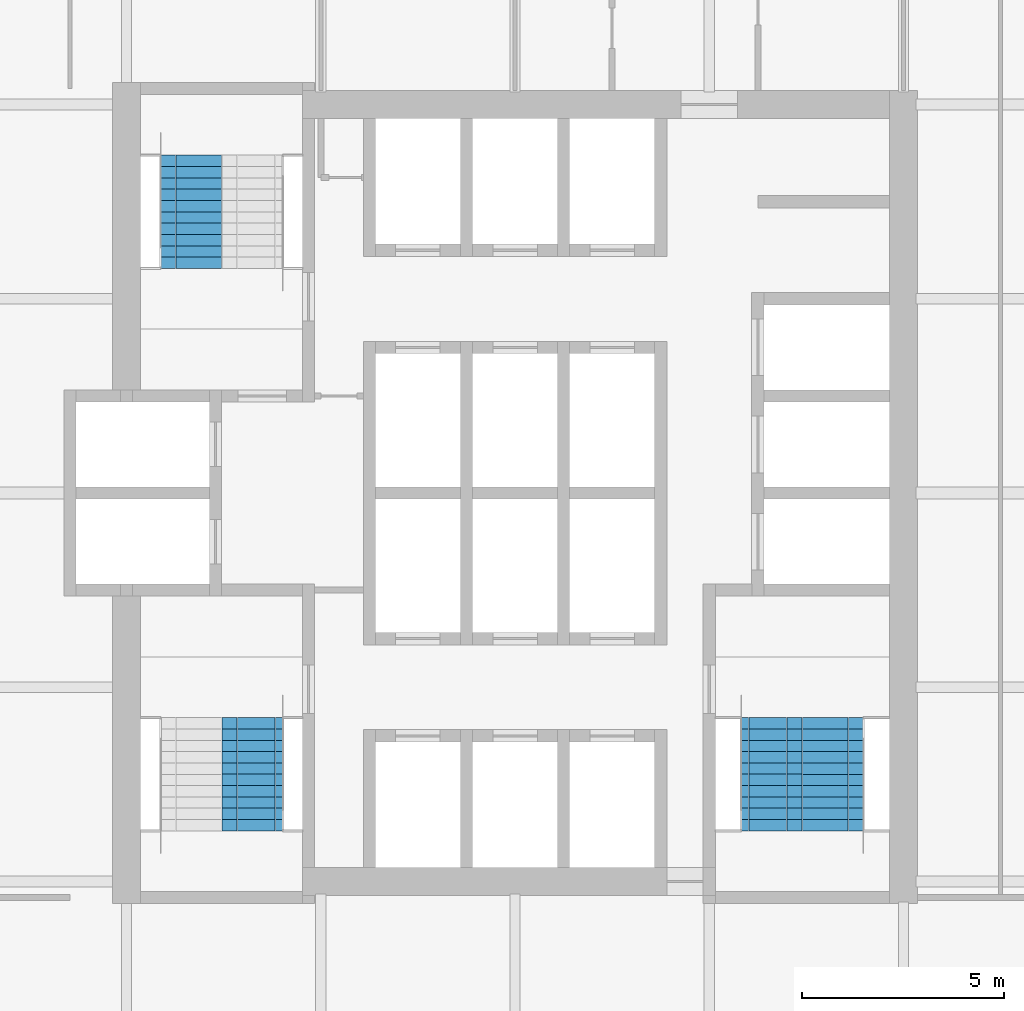
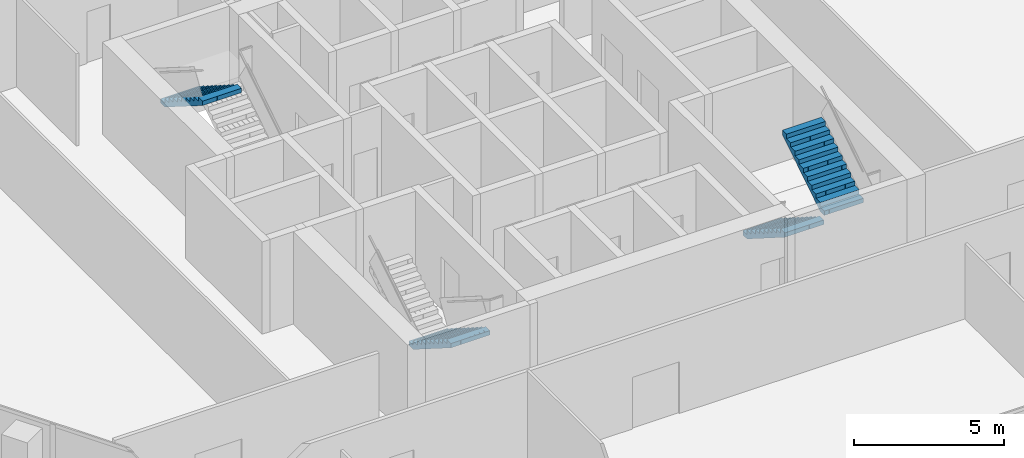
# One storey, part 13 of 16: 4 stair flights, 3 elements without a shape of their own.
"""IFC4 building model written with IfcOpenShell, lengths in metres."""

from ifc_helpers import new_model, si_unit, direction, frame, origin, place, context, subcontext, project, spatial, polyline, outline, extrude, material, type_object, element, aggregate, save


model = new_model("IFC4")

# Units and contexts
model_context = context("Model", 3, precision=1e-05, world=origin(), true_north=direction((0.0, 1.0)))
body_context = subcontext(model_context, "Body", "Model", "MODEL_VIEW")
ifc_project = project(units=[si_unit("LENGTHUNIT", "METRE"), si_unit("AREAUNIT", "SQUARE_METRE"), si_unit("VOLUMEUNIT", "CUBIC_METRE"), si_unit("PLANEANGLEUNIT", "RADIAN"), si_unit("MASSUNIT", "GRAM", prefix="KILO")], contexts=[model_context])

# Site, building, storey
site_placement = place(None, origin())
site = spatial("IfcSite", under=ifc_project, at=site_placement, CompositionType="ELEMENT")
building_placement = place(site_placement, origin())
building = spatial("IfcBuilding", under=site, at=building_placement, Name="Kolab Exchange Tower", CompositionType="ELEMENT")
storey_placement = place(building_placement, frame((0.0, 0.0, 162.199951171875)))
storey = spatial("IfcBuildingStorey", under=building, at=storey_placement, Name="L33", CompositionType="ELEMENT", Elevation=162.199951171875)

# Stair, stair flight
ifc_material = material(Name="Concrete C50/60", Category="concrete")
stair_type_1 = type_object("IfcStairType", Name="STAIR ST1 RISER 177.3", PredefinedType="HALF_TURN_STAIR", material=ifc_material)
stair_1_placement = place(storey_placement, origin())
stair_1 = element("IfcStair", 1, at=stair_1_placement, inside=storey, type_object=stair_type_1, Name="Stair 1", PredefinedType="HALF_TURN_STAIR")
stair_flight_type = type_object("IfcStairFlightType", Name="STAIR FLIGHT 1500 RISER 177.3", PredefinedType="STRAIGHT", material=ifc_material)
stair_flight_1_placement = place(storey_placement, frame((-8.010009765625, 8.35009765625, 1.949951171875), z_axis=(0.0, 0.0, 1.0), x_axis=(0.0, -1.0, 0.0)))
stair_flight_1 = element("IfcStairFlight", 2, at=stair_flight_1_placement, type_object=stair_flight_type, Name="ST1 flight 2", NumberOfRisers=11, NumberOfTreads=10, PredefinedType="STRAIGHT", RiserHeight=0.177272727, TreadLength=0.28, context=body_context, shape_type="SweptSolid", body=[
    extrude(outline(polyline([(0.0, 0.0), (0.0, 0.17724609375), (0.280029296875, 0.17724609375), (0.280029296875, 0.3544921875), (0.56005859375, 0.3544921875), (0.56005859375, 0.53173828125), (0.840087890625, 0.53173828125), (0.840087890625, 0.708984375), (1.1201171875, 0.708984375), (1.1201171875, 0.886474609375), (1.39990234375, 0.886474609375), (1.39990234375, 1.063720703125), (1.679931640625, 1.063720703125), (1.679931640625, 1.240966796875), (1.9599609375, 1.240966796875), (1.9599609375, 1.418212890625), (2.239990234375, 1.418212890625), (2.239990234375, 1.595458984375), (2.52001953125, 1.595458984375), (2.52001953125, 1.772705078125), (2.800048828125, 1.772705078125), (2.800048828125, 1.949951171875), (2.800048828125, 1.59521484375), (0.2802734375, 0.0), (0.0, 0.0)])), frame((0.0, 0.75, 0.0), z_axis=(0.0, -1.0, 0.0), x_axis=(1.0, 0.0, 0.0)), (0.0, 0.0, 1.0), 0.185791015625),
    extrude(outline(polyline([(0.0, 0.0), (0.0, 0.17724609375), (0.280029296875, 0.17724609375), (0.280029296875, 0.3544921875), (0.56005859375, 0.3544921875), (0.56005859375, 0.53173828125), (0.840087890625, 0.53173828125), (0.840087890625, 0.708984375), (1.1201171875, 0.708984375), (1.1201171875, 0.886474609375), (1.39990234375, 0.886474609375), (1.39990234375, 1.063720703125), (1.679931640625, 1.063720703125), (1.679931640625, 1.240966796875), (1.9599609375, 1.240966796875), (1.9599609375, 1.418212890625), (2.239990234375, 1.418212890625), (2.239990234375, 1.595458984375), (2.52001953125, 1.595458984375), (2.52001953125, 1.772705078125), (2.800048828125, 1.772705078125), (2.800048828125, 1.949951171875), (2.800048828125, 1.59521484375), (0.2802734375, 0.0), (0.0, 0.0)])), frame((0.0, 0.562255859375, 0.0), z_axis=(0.0, -1.0, 0.0), x_axis=(1.0, 0.0, 0.0)), (0.0, 0.0, 1.0), 0.185791015625),
    extrude(outline(polyline([(0.0, 0.0), (0.0, 0.17724609375), (0.280029296875, 0.17724609375), (0.280029296875, 0.3544921875), (0.56005859375, 0.3544921875), (0.56005859375, 0.53173828125), (0.840087890625, 0.53173828125), (0.840087890625, 0.708984375), (1.1201171875, 0.708984375), (1.1201171875, 0.886474609375), (1.39990234375, 0.886474609375), (1.39990234375, 1.063720703125), (1.679931640625, 1.063720703125), (1.679931640625, 1.240966796875), (1.9599609375, 1.240966796875), (1.9599609375, 1.418212890625), (2.239990234375, 1.418212890625), (2.239990234375, 1.595458984375), (2.52001953125, 1.595458984375), (2.52001953125, 1.772705078125), (2.800048828125, 1.772705078125), (2.800048828125, 1.949951171875), (2.800048828125, 1.59521484375), (0.2802734375, 0.0), (0.0, 0.0)])), frame((0.0, 0.37451171875, 0.0), z_axis=(0.0, -1.0, 0.0), x_axis=(1.0, 0.0, 0.0)), (0.0, 0.0, 1.0), 0.185791015625),
    extrude(outline(polyline([(0.0, 0.0), (0.0, 0.17724609375), (0.280029296875, 0.17724609375), (0.280029296875, 0.3544921875), (0.56005859375, 0.3544921875), (0.56005859375, 0.53173828125), (0.840087890625, 0.53173828125), (0.840087890625, 0.708984375), (1.1201171875, 0.708984375), (1.1201171875, 0.886474609375), (1.39990234375, 0.886474609375), (1.39990234375, 1.063720703125), (1.679931640625, 1.063720703125), (1.679931640625, 1.240966796875), (1.9599609375, 1.240966796875), (1.9599609375, 1.418212890625), (2.239990234375, 1.418212890625), (2.239990234375, 1.595458984375), (2.52001953125, 1.595458984375), (2.52001953125, 1.772705078125), (2.800048828125, 1.772705078125), (2.800048828125, 1.949951171875), (2.800048828125, 1.59521484375), (0.2802734375, 0.0), (0.0, 0.0)])), frame((0.0, 0.186767578125, 0.0), z_axis=(0.0, -1.0, 0.0), x_axis=(1.0, 0.0, 0.0)), (0.0, 0.0, 1.0), 0.185791015625),
    extrude(outline(polyline([(0.0, 0.0), (0.0, 0.17724609375), (0.280029296875, 0.17724609375), (0.280029296875, 0.3544921875), (0.56005859375, 0.3544921875), (0.56005859375, 0.53173828125), (0.840087890625, 0.53173828125), (0.840087890625, 0.708984375), (1.1201171875, 0.708984375), (1.1201171875, 0.886474609375), (1.39990234375, 0.886474609375), (1.39990234375, 1.063720703125), (1.679931640625, 1.063720703125), (1.679931640625, 1.240966796875), (1.9599609375, 1.240966796875), (1.9599609375, 1.418212890625), (2.239990234375, 1.418212890625), (2.239990234375, 1.595458984375), (2.52001953125, 1.595458984375), (2.52001953125, 1.772705078125), (2.800048828125, 1.772705078125), (2.800048828125, 1.949951171875), (2.800048828125, 1.59521484375), (0.2802734375, 0.0), (0.0, 0.0)])), frame((0.0, -0.0009765625, 0.0), z_axis=(0.0, -1.0, 0.0), x_axis=(1.0, 0.0, 0.0)), (0.0, 0.0, 1.0), 0.185791015625),
    extrude(outline(polyline([(0.0, 0.0), (0.0, 0.17724609375), (0.280029296875, 0.17724609375), (0.280029296875, 0.3544921875), (0.56005859375, 0.3544921875), (0.56005859375, 0.53173828125), (0.840087890625, 0.53173828125), (0.840087890625, 0.708984375), (1.1201171875, 0.708984375), (1.1201171875, 0.886474609375), (1.39990234375, 0.886474609375), (1.39990234375, 1.063720703125), (1.679931640625, 1.063720703125), (1.679931640625, 1.240966796875), (1.9599609375, 1.240966796875), (1.9599609375, 1.418212890625), (2.239990234375, 1.418212890625), (2.239990234375, 1.595458984375), (2.52001953125, 1.595458984375), (2.52001953125, 1.772705078125), (2.800048828125, 1.772705078125), (2.800048828125, 1.949951171875), (2.800048828125, 1.59521484375), (0.2802734375, 0.0), (0.0, 0.0)])), frame((0.0, -0.188720703125, 0.0), z_axis=(0.0, -1.0, 0.0), x_axis=(1.0, 0.0, 0.0)), (0.0, 0.0, 1.0), 0.185791015625),
    extrude(outline(polyline([(0.0, 0.0), (0.0, 0.17724609375), (0.280029296875, 0.17724609375), (0.280029296875, 0.3544921875), (0.56005859375, 0.3544921875), (0.56005859375, 0.53173828125), (0.840087890625, 0.53173828125), (0.840087890625, 0.708984375), (1.1201171875, 0.708984375), (1.1201171875, 0.886474609375), (1.39990234375, 0.886474609375), (1.39990234375, 1.063720703125), (1.679931640625, 1.063720703125), (1.679931640625, 1.240966796875), (1.9599609375, 1.240966796875), (1.9599609375, 1.418212890625), (2.239990234375, 1.418212890625), (2.239990234375, 1.595458984375), (2.52001953125, 1.595458984375), (2.52001953125, 1.772705078125), (2.800048828125, 1.772705078125), (2.800048828125, 1.949951171875), (2.800048828125, 1.59521484375), (0.2802734375, 0.0), (0.0, 0.0)])), frame((0.0, -0.37646484375, 0.0), z_axis=(0.0, -1.0, 0.0), x_axis=(1.0, 0.0, 0.0)), (0.0, 0.0, 1.0), 0.185791015625),
    extrude(outline(polyline([(0.0, 0.0), (0.0, 0.17724609375), (0.280029296875, 0.17724609375), (0.280029296875, 0.3544921875), (0.56005859375, 0.3544921875), (0.56005859375, 0.53173828125), (0.840087890625, 0.53173828125), (0.840087890625, 0.708984375), (1.1201171875, 0.708984375), (1.1201171875, 0.886474609375), (1.39990234375, 0.886474609375), (1.39990234375, 1.063720703125), (1.679931640625, 1.063720703125), (1.679931640625, 1.240966796875), (1.9599609375, 1.240966796875), (1.9599609375, 1.418212890625), (2.239990234375, 1.418212890625), (2.239990234375, 1.595458984375), (2.52001953125, 1.595458984375), (2.52001953125, 1.772705078125), (2.800048828125, 1.772705078125), (2.800048828125, 1.949951171875), (2.800048828125, 1.59521484375), (0.2802734375, 0.0), (0.0, 0.0)])), frame((0.0, -0.564208984375, 0.0), z_axis=(0.0, -1.0, 0.0), x_axis=(1.0, 0.0, 0.0)), (0.0, 0.0, 1.0), 0.185791015625),
])
aggregate(stair_1, [stair_flight_1])

stair_type_2 = type_object("IfcStairType", Name="STAIR ST3 RISER 177.3", PredefinedType="HALF_TURN_STAIR", material=ifc_material)
stair_2_placement = place(storey_placement, origin())
stair_2 = element("IfcStair", 3, at=stair_2_placement, inside=storey, type_object=stair_type_2, Name="Stair 3", PredefinedType="HALF_TURN_STAIR")
stair_flight_2_placement = place(storey_placement, frame((-6.489990234375, -5.550048828125, 0.0), z_axis=(0.0, 0.0, 1.0), x_axis=(0.0, -1.0, 0.0)))
stair_flight_2 = element("IfcStairFlight", 4, at=stair_flight_2_placement, type_object=stair_flight_type, Name="ST3 flight 1", NumberOfRisers=11, NumberOfTreads=10, PredefinedType="STRAIGHT", RiserHeight=0.177272727, TreadLength=0.28, context=body_context, shape_type="SweptSolid", body=[
    extrude(outline(polyline([(0.0, 0.0), (0.0, 0.17724609375), (0.280029296875, 0.17724609375), (0.280029296875, 0.3544921875), (0.56005859375, 0.3544921875), (0.56005859375, 0.53173828125), (0.840087890625, 0.53173828125), (0.840087890625, 0.708984375), (1.1201171875, 0.708984375), (1.1201171875, 0.886474609375), (1.39990234375, 0.886474609375), (1.39990234375, 1.063720703125), (1.679931640625, 1.063720703125), (1.679931640625, 1.240966796875), (1.9599609375, 1.240966796875), (1.9599609375, 1.418212890625), (2.239990234375, 1.418212890625), (2.239990234375, 1.595458984375), (2.52001953125, 1.595458984375), (2.52001953125, 1.772705078125), (2.800048828125, 1.772705078125), (2.800048828125, 1.949951171875), (2.800048828125, 1.59521484375), (0.2802734375, 0.0), (0.0, 0.0)])), frame((0.0, 0.75, 0.0), z_axis=(0.0, -1.0, 0.0), x_axis=(1.0, 0.0, 0.0)), (0.0, 0.0, 1.0), 0.185791015625),
    extrude(outline(polyline([(0.0, 0.0), (0.0, 0.17724609375), (0.280029296875, 0.17724609375), (0.280029296875, 0.3544921875), (0.56005859375, 0.3544921875), (0.56005859375, 0.53173828125), (0.840087890625, 0.53173828125), (0.840087890625, 0.708984375), (1.1201171875, 0.708984375), (1.1201171875, 0.886474609375), (1.39990234375, 0.886474609375), (1.39990234375, 1.063720703125), (1.679931640625, 1.063720703125), (1.679931640625, 1.240966796875), (1.9599609375, 1.240966796875), (1.9599609375, 1.418212890625), (2.239990234375, 1.418212890625), (2.239990234375, 1.595458984375), (2.52001953125, 1.595458984375), (2.52001953125, 1.772705078125), (2.800048828125, 1.772705078125), (2.800048828125, 1.949951171875), (2.800048828125, 1.59521484375), (0.2802734375, 0.0), (0.0, 0.0)])), frame((0.0, 0.562255859375, 0.0), z_axis=(0.0, -1.0, 0.0), x_axis=(1.0, 0.0, 0.0)), (0.0, 0.0, 1.0), 0.185791015625),
    extrude(outline(polyline([(0.0, 0.0), (0.0, 0.17724609375), (0.280029296875, 0.17724609375), (0.280029296875, 0.3544921875), (0.56005859375, 0.3544921875), (0.56005859375, 0.53173828125), (0.840087890625, 0.53173828125), (0.840087890625, 0.708984375), (1.1201171875, 0.708984375), (1.1201171875, 0.886474609375), (1.39990234375, 0.886474609375), (1.39990234375, 1.063720703125), (1.679931640625, 1.063720703125), (1.679931640625, 1.240966796875), (1.9599609375, 1.240966796875), (1.9599609375, 1.418212890625), (2.239990234375, 1.418212890625), (2.239990234375, 1.595458984375), (2.52001953125, 1.595458984375), (2.52001953125, 1.772705078125), (2.800048828125, 1.772705078125), (2.800048828125, 1.949951171875), (2.800048828125, 1.59521484375), (0.2802734375, 0.0), (0.0, 0.0)])), frame((0.0, 0.37451171875, 0.0), z_axis=(0.0, -1.0, 0.0), x_axis=(1.0, 0.0, 0.0)), (0.0, 0.0, 1.0), 0.185791015625),
    extrude(outline(polyline([(0.0, 0.0), (0.0, 0.17724609375), (0.280029296875, 0.17724609375), (0.280029296875, 0.3544921875), (0.56005859375, 0.3544921875), (0.56005859375, 0.53173828125), (0.840087890625, 0.53173828125), (0.840087890625, 0.708984375), (1.1201171875, 0.708984375), (1.1201171875, 0.886474609375), (1.39990234375, 0.886474609375), (1.39990234375, 1.063720703125), (1.679931640625, 1.063720703125), (1.679931640625, 1.240966796875), (1.9599609375, 1.240966796875), (1.9599609375, 1.418212890625), (2.239990234375, 1.418212890625), (2.239990234375, 1.595458984375), (2.52001953125, 1.595458984375), (2.52001953125, 1.772705078125), (2.800048828125, 1.772705078125), (2.800048828125, 1.949951171875), (2.800048828125, 1.59521484375), (0.2802734375, 0.0), (0.0, 0.0)])), frame((0.0, 0.186767578125, 0.0), z_axis=(0.0, -1.0, 0.0), x_axis=(1.0, 0.0, 0.0)), (0.0, 0.0, 1.0), 0.185791015625),
    extrude(outline(polyline([(0.0, 0.0), (0.0, 0.17724609375), (0.280029296875, 0.17724609375), (0.280029296875, 0.3544921875), (0.56005859375, 0.3544921875), (0.56005859375, 0.53173828125), (0.840087890625, 0.53173828125), (0.840087890625, 0.708984375), (1.1201171875, 0.708984375), (1.1201171875, 0.886474609375), (1.39990234375, 0.886474609375), (1.39990234375, 1.063720703125), (1.679931640625, 1.063720703125), (1.679931640625, 1.240966796875), (1.9599609375, 1.240966796875), (1.9599609375, 1.418212890625), (2.239990234375, 1.418212890625), (2.239990234375, 1.595458984375), (2.52001953125, 1.595458984375), (2.52001953125, 1.772705078125), (2.800048828125, 1.772705078125), (2.800048828125, 1.949951171875), (2.800048828125, 1.59521484375), (0.2802734375, 0.0), (0.0, 0.0)])), frame((0.0, -0.0009765625, 0.0), z_axis=(0.0, -1.0, 0.0), x_axis=(1.0, 0.0, 0.0)), (0.0, 0.0, 1.0), 0.185791015625),
    extrude(outline(polyline([(0.0, 0.0), (0.0, 0.17724609375), (0.280029296875, 0.17724609375), (0.280029296875, 0.3544921875), (0.56005859375, 0.3544921875), (0.56005859375, 0.53173828125), (0.840087890625, 0.53173828125), (0.840087890625, 0.708984375), (1.1201171875, 0.708984375), (1.1201171875, 0.886474609375), (1.39990234375, 0.886474609375), (1.39990234375, 1.063720703125), (1.679931640625, 1.063720703125), (1.679931640625, 1.240966796875), (1.9599609375, 1.240966796875), (1.9599609375, 1.418212890625), (2.239990234375, 1.418212890625), (2.239990234375, 1.595458984375), (2.52001953125, 1.595458984375), (2.52001953125, 1.772705078125), (2.800048828125, 1.772705078125), (2.800048828125, 1.949951171875), (2.800048828125, 1.59521484375), (0.2802734375, 0.0), (0.0, 0.0)])), frame((0.0, -0.188720703125, 0.0), z_axis=(0.0, -1.0, 0.0), x_axis=(1.0, 0.0, 0.0)), (0.0, 0.0, 1.0), 0.185791015625),
    extrude(outline(polyline([(0.0, 0.0), (0.0, 0.17724609375), (0.280029296875, 0.17724609375), (0.280029296875, 0.3544921875), (0.56005859375, 0.3544921875), (0.56005859375, 0.53173828125), (0.840087890625, 0.53173828125), (0.840087890625, 0.708984375), (1.1201171875, 0.708984375), (1.1201171875, 0.886474609375), (1.39990234375, 0.886474609375), (1.39990234375, 1.063720703125), (1.679931640625, 1.063720703125), (1.679931640625, 1.240966796875), (1.9599609375, 1.240966796875), (1.9599609375, 1.418212890625), (2.239990234375, 1.418212890625), (2.239990234375, 1.595458984375), (2.52001953125, 1.595458984375), (2.52001953125, 1.772705078125), (2.800048828125, 1.772705078125), (2.800048828125, 1.949951171875), (2.800048828125, 1.59521484375), (0.2802734375, 0.0), (0.0, 0.0)])), frame((0.0, -0.37646484375, 0.0), z_axis=(0.0, -1.0, 0.0), x_axis=(1.0, 0.0, 0.0)), (0.0, 0.0, 1.0), 0.185791015625),
    extrude(outline(polyline([(0.0, 0.0), (0.0, 0.17724609375), (0.280029296875, 0.17724609375), (0.280029296875, 0.3544921875), (0.56005859375, 0.3544921875), (0.56005859375, 0.53173828125), (0.840087890625, 0.53173828125), (0.840087890625, 0.708984375), (1.1201171875, 0.708984375), (1.1201171875, 0.886474609375), (1.39990234375, 0.886474609375), (1.39990234375, 1.063720703125), (1.679931640625, 1.063720703125), (1.679931640625, 1.240966796875), (1.9599609375, 1.240966796875), (1.9599609375, 1.418212890625), (2.239990234375, 1.418212890625), (2.239990234375, 1.595458984375), (2.52001953125, 1.595458984375), (2.52001953125, 1.772705078125), (2.800048828125, 1.772705078125), (2.800048828125, 1.949951171875), (2.800048828125, 1.59521484375), (0.2802734375, 0.0), (0.0, 0.0)])), frame((0.0, -0.564208984375, 0.0), z_axis=(0.0, -1.0, 0.0), x_axis=(1.0, 0.0, 0.0)), (0.0, 0.0, 1.0), 0.185791015625),
])
aggregate(stair_2, [stair_flight_2])

# Stair, stair flights
stair_type_3 = type_object("IfcStairType", Name="STAIR ST2 RISER 177.3", PredefinedType="HALF_TURN_STAIR", material=ifc_material)
stair_3_placement = place(storey_placement, origin())
stair_3 = element("IfcStair", 5, at=stair_3_placement, inside=storey, type_object=stair_type_3, Name="Stair 2", PredefinedType="HALF_TURN_STAIR")
stair_flight_3_placement = place(storey_placement, frame((6.340087890625, -5.550048828125, 0.0), z_axis=(0.0, 0.0, 1.0), x_axis=(0.0, -1.0, 0.0)))
stair_flight_3 = element("IfcStairFlight", 6, at=stair_flight_3_placement, type_object=stair_flight_type, Name="ST2 flight 1", NumberOfRisers=11, NumberOfTreads=10, PredefinedType="STRAIGHT", RiserHeight=0.177272727, TreadLength=0.28, context=body_context, shape_type="SweptSolid", body=[
    extrude(outline(polyline([(0.0, 0.0), (0.0, 0.17724609375), (0.280029296875, 0.17724609375), (0.280029296875, 0.3544921875), (0.56005859375, 0.3544921875), (0.56005859375, 0.53173828125), (0.840087890625, 0.53173828125), (0.840087890625, 0.708984375), (1.1201171875, 0.708984375), (1.1201171875, 0.886474609375), (1.39990234375, 0.886474609375), (1.39990234375, 1.063720703125), (1.679931640625, 1.063720703125), (1.679931640625, 1.240966796875), (1.9599609375, 1.240966796875), (1.9599609375, 1.418212890625), (2.239990234375, 1.418212890625), (2.239990234375, 1.595458984375), (2.52001953125, 1.595458984375), (2.52001953125, 1.772705078125), (2.800048828125, 1.772705078125), (2.800048828125, 1.949951171875), (2.800048828125, 1.59521484375), (0.2802734375, 0.0), (0.0, 0.0)])), frame((0.0, 0.75, 0.0), z_axis=(0.0, -1.0, 0.0), x_axis=(1.0, 0.0, 0.0)), (0.0, 0.0, 1.0), 0.185791015625),
    extrude(outline(polyline([(0.0, 0.0), (0.0, 0.17724609375), (0.280029296875, 0.17724609375), (0.280029296875, 0.3544921875), (0.56005859375, 0.3544921875), (0.56005859375, 0.53173828125), (0.840087890625, 0.53173828125), (0.840087890625, 0.708984375), (1.1201171875, 0.708984375), (1.1201171875, 0.886474609375), (1.39990234375, 0.886474609375), (1.39990234375, 1.063720703125), (1.679931640625, 1.063720703125), (1.679931640625, 1.240966796875), (1.9599609375, 1.240966796875), (1.9599609375, 1.418212890625), (2.239990234375, 1.418212890625), (2.239990234375, 1.595458984375), (2.52001953125, 1.595458984375), (2.52001953125, 1.772705078125), (2.800048828125, 1.772705078125), (2.800048828125, 1.949951171875), (2.800048828125, 1.59521484375), (0.2802734375, 0.0), (0.0, 0.0)])), frame((0.0, 0.562255859375, 0.0), z_axis=(0.0, -1.0, 0.0), x_axis=(1.0, 0.0, 0.0)), (0.0, 0.0, 1.0), 0.185791015625),
    extrude(outline(polyline([(0.0, 0.0), (0.0, 0.17724609375), (0.280029296875, 0.17724609375), (0.280029296875, 0.3544921875), (0.56005859375, 0.3544921875), (0.56005859375, 0.53173828125), (0.840087890625, 0.53173828125), (0.840087890625, 0.708984375), (1.1201171875, 0.708984375), (1.1201171875, 0.886474609375), (1.39990234375, 0.886474609375), (1.39990234375, 1.063720703125), (1.679931640625, 1.063720703125), (1.679931640625, 1.240966796875), (1.9599609375, 1.240966796875), (1.9599609375, 1.418212890625), (2.239990234375, 1.418212890625), (2.239990234375, 1.595458984375), (2.52001953125, 1.595458984375), (2.52001953125, 1.772705078125), (2.800048828125, 1.772705078125), (2.800048828125, 1.949951171875), (2.800048828125, 1.59521484375), (0.2802734375, 0.0), (0.0, 0.0)])), frame((0.0, 0.37451171875, 0.0), z_axis=(0.0, -1.0, 0.0), x_axis=(1.0, 0.0, 0.0)), (0.0, 0.0, 1.0), 0.185791015625),
    extrude(outline(polyline([(0.0, 0.0), (0.0, 0.17724609375), (0.280029296875, 0.17724609375), (0.280029296875, 0.3544921875), (0.56005859375, 0.3544921875), (0.56005859375, 0.53173828125), (0.840087890625, 0.53173828125), (0.840087890625, 0.708984375), (1.1201171875, 0.708984375), (1.1201171875, 0.886474609375), (1.39990234375, 0.886474609375), (1.39990234375, 1.063720703125), (1.679931640625, 1.063720703125), (1.679931640625, 1.240966796875), (1.9599609375, 1.240966796875), (1.9599609375, 1.418212890625), (2.239990234375, 1.418212890625), (2.239990234375, 1.595458984375), (2.52001953125, 1.595458984375), (2.52001953125, 1.772705078125), (2.800048828125, 1.772705078125), (2.800048828125, 1.949951171875), (2.800048828125, 1.59521484375), (0.2802734375, 0.0), (0.0, 0.0)])), frame((0.0, 0.186767578125, 0.0), z_axis=(0.0, -1.0, 0.0), x_axis=(1.0, 0.0, 0.0)), (0.0, 0.0, 1.0), 0.185791015625),
    extrude(outline(polyline([(0.0, 0.0), (0.0, 0.17724609375), (0.280029296875, 0.17724609375), (0.280029296875, 0.3544921875), (0.56005859375, 0.3544921875), (0.56005859375, 0.53173828125), (0.840087890625, 0.53173828125), (0.840087890625, 0.708984375), (1.1201171875, 0.708984375), (1.1201171875, 0.886474609375), (1.39990234375, 0.886474609375), (1.39990234375, 1.063720703125), (1.679931640625, 1.063720703125), (1.679931640625, 1.240966796875), (1.9599609375, 1.240966796875), (1.9599609375, 1.418212890625), (2.239990234375, 1.418212890625), (2.239990234375, 1.595458984375), (2.52001953125, 1.595458984375), (2.52001953125, 1.772705078125), (2.800048828125, 1.772705078125), (2.800048828125, 1.949951171875), (2.800048828125, 1.59521484375), (0.2802734375, 0.0), (0.0, 0.0)])), frame((0.0, -0.0009765625, 0.0), z_axis=(0.0, -1.0, 0.0), x_axis=(1.0, 0.0, 0.0)), (0.0, 0.0, 1.0), 0.185791015625),
    extrude(outline(polyline([(0.0, 0.0), (0.0, 0.17724609375), (0.280029296875, 0.17724609375), (0.280029296875, 0.3544921875), (0.56005859375, 0.3544921875), (0.56005859375, 0.53173828125), (0.840087890625, 0.53173828125), (0.840087890625, 0.708984375), (1.1201171875, 0.708984375), (1.1201171875, 0.886474609375), (1.39990234375, 0.886474609375), (1.39990234375, 1.063720703125), (1.679931640625, 1.063720703125), (1.679931640625, 1.240966796875), (1.9599609375, 1.240966796875), (1.9599609375, 1.418212890625), (2.239990234375, 1.418212890625), (2.239990234375, 1.595458984375), (2.52001953125, 1.595458984375), (2.52001953125, 1.772705078125), (2.800048828125, 1.772705078125), (2.800048828125, 1.949951171875), (2.800048828125, 1.59521484375), (0.2802734375, 0.0), (0.0, 0.0)])), frame((0.0, -0.188720703125, 0.0), z_axis=(0.0, -1.0, 0.0), x_axis=(1.0, 0.0, 0.0)), (0.0, 0.0, 1.0), 0.185791015625),
    extrude(outline(polyline([(0.0, 0.0), (0.0, 0.17724609375), (0.280029296875, 0.17724609375), (0.280029296875, 0.3544921875), (0.56005859375, 0.3544921875), (0.56005859375, 0.53173828125), (0.840087890625, 0.53173828125), (0.840087890625, 0.708984375), (1.1201171875, 0.708984375), (1.1201171875, 0.886474609375), (1.39990234375, 0.886474609375), (1.39990234375, 1.063720703125), (1.679931640625, 1.063720703125), (1.679931640625, 1.240966796875), (1.9599609375, 1.240966796875), (1.9599609375, 1.418212890625), (2.239990234375, 1.418212890625), (2.239990234375, 1.595458984375), (2.52001953125, 1.595458984375), (2.52001953125, 1.772705078125), (2.800048828125, 1.772705078125), (2.800048828125, 1.949951171875), (2.800048828125, 1.59521484375), (0.2802734375, 0.0), (0.0, 0.0)])), frame((0.0, -0.37646484375, 0.0), z_axis=(0.0, -1.0, 0.0), x_axis=(1.0, 0.0, 0.0)), (0.0, 0.0, 1.0), 0.185791015625),
    extrude(outline(polyline([(0.0, 0.0), (0.0, 0.17724609375), (0.280029296875, 0.17724609375), (0.280029296875, 0.3544921875), (0.56005859375, 0.3544921875), (0.56005859375, 0.53173828125), (0.840087890625, 0.53173828125), (0.840087890625, 0.708984375), (1.1201171875, 0.708984375), (1.1201171875, 0.886474609375), (1.39990234375, 0.886474609375), (1.39990234375, 1.063720703125), (1.679931640625, 1.063720703125), (1.679931640625, 1.240966796875), (1.9599609375, 1.240966796875), (1.9599609375, 1.418212890625), (2.239990234375, 1.418212890625), (2.239990234375, 1.595458984375), (2.52001953125, 1.595458984375), (2.52001953125, 1.772705078125), (2.800048828125, 1.772705078125), (2.800048828125, 1.949951171875), (2.800048828125, 1.59521484375), (0.2802734375, 0.0), (0.0, 0.0)])), frame((0.0, -0.564208984375, 0.0), z_axis=(0.0, -1.0, 0.0), x_axis=(1.0, 0.0, 0.0)), (0.0, 0.0, 1.0), 0.185791015625),
])
stair_flight_4_placement = place(storey_placement, frame((7.860107421875, -8.35009765625, 1.949951171875), z_axis=(0.0, 0.0, 1.0), x_axis=(0.0, 1.0, 0.0)))
stair_flight_4 = element("IfcStairFlight", 7, at=stair_flight_4_placement, type_object=stair_flight_type, Name="ST2 flight 2", NumberOfRisers=11, NumberOfTreads=10, PredefinedType="STRAIGHT", RiserHeight=0.177272727, TreadLength=0.28, context=body_context, shape_type="SweptSolid", body=[
    extrude(outline(polyline([(0.0, 0.0), (0.0, 0.17724609375), (0.280029296875, 0.17724609375), (0.280029296875, 0.3544921875), (0.56005859375, 0.3544921875), (0.56005859375, 0.53173828125), (0.840087890625, 0.53173828125), (0.840087890625, 0.708984375), (1.1201171875, 0.708984375), (1.1201171875, 0.886474609375), (1.39990234375, 0.886474609375), (1.39990234375, 1.063720703125), (1.679931640625, 1.063720703125), (1.679931640625, 1.240966796875), (1.9599609375, 1.240966796875), (1.9599609375, 1.418212890625), (2.239990234375, 1.418212890625), (2.239990234375, 1.595458984375), (2.52001953125, 1.595458984375), (2.52001953125, 1.772705078125), (2.800048828125, 1.772705078125), (2.800048828125, 1.949951171875), (2.800048828125, 1.59521484375), (0.2802734375, 0.0), (0.0, 0.0)])), frame((0.0, 0.75, 0.0), z_axis=(0.0, -1.0, 0.0), x_axis=(1.0, 0.0, 0.0)), (0.0, 0.0, 1.0), 0.185791015625),
    extrude(outline(polyline([(0.0, 0.0), (0.0, 0.17724609375), (0.280029296875, 0.17724609375), (0.280029296875, 0.3544921875), (0.56005859375, 0.3544921875), (0.56005859375, 0.53173828125), (0.840087890625, 0.53173828125), (0.840087890625, 0.708984375), (1.1201171875, 0.708984375), (1.1201171875, 0.886474609375), (1.39990234375, 0.886474609375), (1.39990234375, 1.063720703125), (1.679931640625, 1.063720703125), (1.679931640625, 1.240966796875), (1.9599609375, 1.240966796875), (1.9599609375, 1.418212890625), (2.239990234375, 1.418212890625), (2.239990234375, 1.595458984375), (2.52001953125, 1.595458984375), (2.52001953125, 1.772705078125), (2.800048828125, 1.772705078125), (2.800048828125, 1.949951171875), (2.800048828125, 1.59521484375), (0.2802734375, 0.0), (0.0, 0.0)])), frame((0.0, 0.562255859375, 0.0), z_axis=(0.0, -1.0, 0.0), x_axis=(1.0, 0.0, 0.0)), (0.0, 0.0, 1.0), 0.185791015625),
    extrude(outline(polyline([(0.0, 0.0), (0.0, 0.17724609375), (0.280029296875, 0.17724609375), (0.280029296875, 0.3544921875), (0.56005859375, 0.3544921875), (0.56005859375, 0.53173828125), (0.840087890625, 0.53173828125), (0.840087890625, 0.708984375), (1.1201171875, 0.708984375), (1.1201171875, 0.886474609375), (1.39990234375, 0.886474609375), (1.39990234375, 1.063720703125), (1.679931640625, 1.063720703125), (1.679931640625, 1.240966796875), (1.9599609375, 1.240966796875), (1.9599609375, 1.418212890625), (2.239990234375, 1.418212890625), (2.239990234375, 1.595458984375), (2.52001953125, 1.595458984375), (2.52001953125, 1.772705078125), (2.800048828125, 1.772705078125), (2.800048828125, 1.949951171875), (2.800048828125, 1.59521484375), (0.2802734375, 0.0), (0.0, 0.0)])), frame((0.0, 0.37451171875, 0.0), z_axis=(0.0, -1.0, 0.0), x_axis=(1.0, 0.0, 0.0)), (0.0, 0.0, 1.0), 0.185791015625),
    extrude(outline(polyline([(0.0, 0.0), (0.0, 0.17724609375), (0.280029296875, 0.17724609375), (0.280029296875, 0.3544921875), (0.56005859375, 0.3544921875), (0.56005859375, 0.53173828125), (0.840087890625, 0.53173828125), (0.840087890625, 0.708984375), (1.1201171875, 0.708984375), (1.1201171875, 0.886474609375), (1.39990234375, 0.886474609375), (1.39990234375, 1.063720703125), (1.679931640625, 1.063720703125), (1.679931640625, 1.240966796875), (1.9599609375, 1.240966796875), (1.9599609375, 1.418212890625), (2.239990234375, 1.418212890625), (2.239990234375, 1.595458984375), (2.52001953125, 1.595458984375), (2.52001953125, 1.772705078125), (2.800048828125, 1.772705078125), (2.800048828125, 1.949951171875), (2.800048828125, 1.59521484375), (0.2802734375, 0.0), (0.0, 0.0)])), frame((0.0, 0.186767578125, 0.0), z_axis=(0.0, -1.0, 0.0), x_axis=(1.0, 0.0, 0.0)), (0.0, 0.0, 1.0), 0.185791015625),
    extrude(outline(polyline([(0.0, 0.0), (0.0, 0.17724609375), (0.280029296875, 0.17724609375), (0.280029296875, 0.3544921875), (0.56005859375, 0.3544921875), (0.56005859375, 0.53173828125), (0.840087890625, 0.53173828125), (0.840087890625, 0.708984375), (1.1201171875, 0.708984375), (1.1201171875, 0.886474609375), (1.39990234375, 0.886474609375), (1.39990234375, 1.063720703125), (1.679931640625, 1.063720703125), (1.679931640625, 1.240966796875), (1.9599609375, 1.240966796875), (1.9599609375, 1.418212890625), (2.239990234375, 1.418212890625), (2.239990234375, 1.595458984375), (2.52001953125, 1.595458984375), (2.52001953125, 1.772705078125), (2.800048828125, 1.772705078125), (2.800048828125, 1.949951171875), (2.800048828125, 1.59521484375), (0.2802734375, 0.0), (0.0, 0.0)])), frame((0.0, -0.0009765625, 0.0), z_axis=(0.0, -1.0, 0.0), x_axis=(1.0, 0.0, 0.0)), (0.0, 0.0, 1.0), 0.185791015625),
    extrude(outline(polyline([(0.0, 0.0), (0.0, 0.17724609375), (0.280029296875, 0.17724609375), (0.280029296875, 0.3544921875), (0.56005859375, 0.3544921875), (0.56005859375, 0.53173828125), (0.840087890625, 0.53173828125), (0.840087890625, 0.708984375), (1.1201171875, 0.708984375), (1.1201171875, 0.886474609375), (1.39990234375, 0.886474609375), (1.39990234375, 1.063720703125), (1.679931640625, 1.063720703125), (1.679931640625, 1.240966796875), (1.9599609375, 1.240966796875), (1.9599609375, 1.418212890625), (2.239990234375, 1.418212890625), (2.239990234375, 1.595458984375), (2.52001953125, 1.595458984375), (2.52001953125, 1.772705078125), (2.800048828125, 1.772705078125), (2.800048828125, 1.949951171875), (2.800048828125, 1.59521484375), (0.2802734375, 0.0), (0.0, 0.0)])), frame((0.0, -0.188720703125, 0.0), z_axis=(0.0, -1.0, 0.0), x_axis=(1.0, 0.0, 0.0)), (0.0, 0.0, 1.0), 0.185791015625),
    extrude(outline(polyline([(0.0, 0.0), (0.0, 0.17724609375), (0.280029296875, 0.17724609375), (0.280029296875, 0.3544921875), (0.56005859375, 0.3544921875), (0.56005859375, 0.53173828125), (0.840087890625, 0.53173828125), (0.840087890625, 0.708984375), (1.1201171875, 0.708984375), (1.1201171875, 0.886474609375), (1.39990234375, 0.886474609375), (1.39990234375, 1.063720703125), (1.679931640625, 1.063720703125), (1.679931640625, 1.240966796875), (1.9599609375, 1.240966796875), (1.9599609375, 1.418212890625), (2.239990234375, 1.418212890625), (2.239990234375, 1.595458984375), (2.52001953125, 1.595458984375), (2.52001953125, 1.772705078125), (2.800048828125, 1.772705078125), (2.800048828125, 1.949951171875), (2.800048828125, 1.59521484375), (0.2802734375, 0.0), (0.0, 0.0)])), frame((0.0, -0.37646484375, 0.0), z_axis=(0.0, -1.0, 0.0), x_axis=(1.0, 0.0, 0.0)), (0.0, 0.0, 1.0), 0.185791015625),
    extrude(outline(polyline([(0.0, 0.0), (0.0, 0.17724609375), (0.280029296875, 0.17724609375), (0.280029296875, 0.3544921875), (0.56005859375, 0.3544921875), (0.56005859375, 0.53173828125), (0.840087890625, 0.53173828125), (0.840087890625, 0.708984375), (1.1201171875, 0.708984375), (1.1201171875, 0.886474609375), (1.39990234375, 0.886474609375), (1.39990234375, 1.063720703125), (1.679931640625, 1.063720703125), (1.679931640625, 1.240966796875), (1.9599609375, 1.240966796875), (1.9599609375, 1.418212890625), (2.239990234375, 1.418212890625), (2.239990234375, 1.595458984375), (2.52001953125, 1.595458984375), (2.52001953125, 1.772705078125), (2.800048828125, 1.772705078125), (2.800048828125, 1.949951171875), (2.800048828125, 1.59521484375), (0.2802734375, 0.0), (0.0, 0.0)])), frame((0.0, -0.564208984375, 0.0), z_axis=(0.0, -1.0, 0.0), x_axis=(1.0, 0.0, 0.0)), (0.0, 0.0, 1.0), 0.185791015625),
])
aggregate(stair_3, [stair_flight_3, stair_flight_4])

save(model, "model.ifc")
